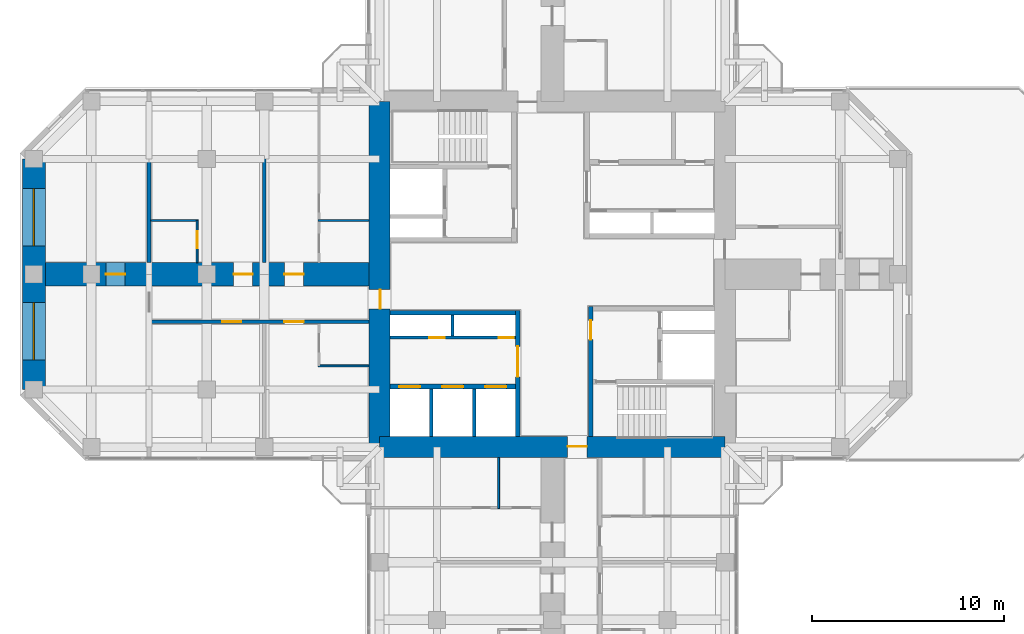
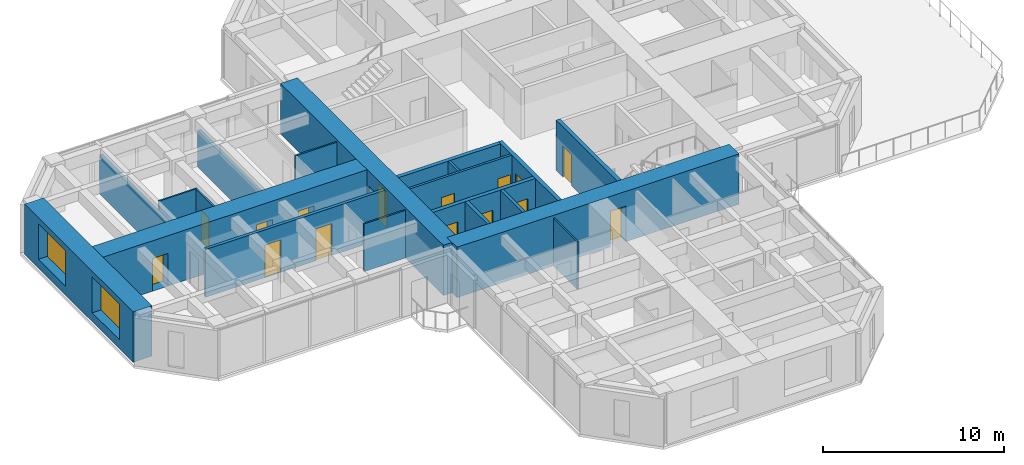
# One storey, part 9 of 14: 20 walls, 15 doors, 2 windows, 17 openings.
"""IFC4 building model written with IfcOpenShell, lengths in metres."""

from ifc_helpers import new_model, si_unit, direction, frame, frame_2d, origin, place, context, subcontext, project, spatial, rectangle, hollow_rectangle, extrude, material, layer, layer_set, constituent, constituent_set, type_object, element, fill, save


model = new_model("IFC4")

# Units and contexts
model_context = context("Model", 3, precision=1e-05, world=origin(), true_north=direction((0.0, 1.0)))
body_context = subcontext(model_context, "Body", "Model", "MODEL_VIEW")
ifc_project = project(units=[si_unit("LENGTHUNIT", "METRE"), si_unit("AREAUNIT", "SQUARE_METRE"), si_unit("VOLUMEUNIT", "CUBIC_METRE"), si_unit("PLANEANGLEUNIT", "RADIAN"), si_unit("MASSUNIT", "GRAM", prefix="KILO")], contexts=[model_context])

# Site, building, storey
site_placement = place(None, origin())
site = spatial("IfcSite", under=ifc_project, at=site_placement, CompositionType="ELEMENT")
building_placement = place(site_placement, origin())
building = spatial("IfcBuilding", under=site, at=building_placement, Name="Torre Cruceta", CompositionType="ELEMENT")
storey_placement = place(building_placement, frame((0.0, 0.0, 169.5)))
storey = spatial("IfcBuildingStorey", under=building, at=storey_placement, Name="L41", CompositionType="ELEMENT", Elevation=169.5)

# Walls
ifc_material_1 = material(Name="Water-resistant plasterboard on steel studs", Category="steel")
ifc_layer_1 = layer(ifc_material_1, 0.10009765625)
ifc_layer_set_1 = layer_set([ifc_layer_1], Name="Water-resistant plasterboard on steel studs")
wall_type_1 = type_object("IfcWallType", Name="BATHROOM WALL 100", PredefinedType="PARTITIONING", material=ifc_layer_set_1)
for number, where, z_axis, x_axis, name in (
    (1, (-2.800048828125, -9.550048828125, 0.0), (0.0, 0.0, 1.0), (0.0, -1.0, 0.0), "PT4 L41-S-U1RBB"),
    (2, (-9.550048828125, -4.77490234375, 0.0), (0.0, 0.0, 1.0), (-1.0, 0.0, 0.0), "PT4 L41-W-U1LBB"),
    (3, (-9.550048828125, 2.800048828125, 0.0), (0.0, 0.0, 1.0), (-1.0, 0.0, 0.0), "PT4 L41-W-U1RBB"),
):
    element("IfcWall", number, at=place(storey_placement, frame(where, z_axis=z_axis, x_axis=x_axis)), inside=storey, type_object=wall_type_1, Name=name, PredefinedType="PARTITIONING", context=body_context, shape_type="SweptSolid", body=[
        extrude(rectangle(XDim=2.64990234375, YDim=0.10009765625, at=frame_2d((1.324951171875, 0.0))), origin(), (0.0, 0.0, 1.0), 3.219970703125),
    ])
wall_1_placement = place(storey_placement, frame((-18.449951171875, 2.800048828125, 0.0), z_axis=(0.0, 0.0, 1.0), x_axis=(-1.0, 0.0, 0.0)))
element("IfcWall", 4, at=wall_1_placement, inside=storey, type_object=wall_type_1, Name="PT4 L41-W-U2RBB", PredefinedType="PARTITIONING", context=body_context, shape_type="SweptSolid", body=[
    extrude(rectangle(XDim=2.449951171875, YDim=0.10009765625, at=frame_2d((1.22509765625, 0.0))), origin(), (0.0, 0.0, 1.0), 3.219970703125),
])

# Wall, opening, door
wall_2_placement = place(storey_placement, frame((-18.5, 2.800048828125, 0.0), z_axis=(0.0, 0.0, 1.0), x_axis=(0.0, -1.0, 0.0)))
wall_2 = element("IfcWall", 5, at=wall_2_placement, inside=storey, type_object=wall_type_1, Name="PT4 L41-W-U2RBS", PredefinedType="PARTITIONING", context=body_context, shape_type="SweptSolid", body=[
    extrude(rectangle(XDim=2.199951171875, YDim=0.10009765625, at=frame_2d((1.10009765625, 0.0))), origin(), (0.0, 0.0, 1.0), 3.219970703125),
])
opening_1_placement = place(wall_2_placement, frame((0.550048828125, 0.0, 0.0)))
opening_1 = element("IfcOpeningElement", 6, at=opening_1_placement, cuts=wall_2, Name="Opening D7", PredefinedType="OPENING", context=body_context, shape_type="SweptSolid", body=[
    extrude(rectangle(XDim=0.89990234375, YDim=2.10009765625, at=frame_2d((0.449951171875, 1.050048828125))), frame((0.0, 0.06005859375, 0.0), z_axis=(0.0, -1.0, 0.0), x_axis=(1.0, 0.0, 0.0)), (0.0, 0.0, 1.0), 0.1201171875),
])
ifc_material_2 = material(Name="Timber door", Category="wood")
door_type_1 = type_object("IfcDoorType", Name="BATHROOM DOOR 900X2100", OperationType="SINGLE_SWING_LEFT", PredefinedType="DOOR", material=ifc_material_2)
door_1_placement = place(opening_1_placement, frame((0.89990234375, 0.0, 0.0), z_axis=(0.0, 0.0, 1.0), x_axis=(-1.0, 0.0, 0.0)))
door_1 = element("IfcDoor", 7, at=door_1_placement, inside=storey, type_object=door_type_1, Name="D7 L41-W-U2RBS-D1", OperationType="SINGLE_SWING_RIGHT", OverallHeight=2.10009765625, OverallWidth=0.89990234375, PredefinedType="DOOR", context=body_context, shape_type="SweptSolid", body=[
    extrude(rectangle(XDim=0.89990234375, YDim=2.10009765625, at=frame_2d((0.449951171875, 1.050048828125))), frame((0.0, 0.025146484375, 0.0), z_axis=(0.0, -1.0, 0.0), x_axis=(1.0, 0.0, 0.0)), (0.0, 0.0, 1.0), 0.050048828125),
])
fill(opening_1, door_1)

ifc_material_3 = material(Name="Concrete G60 (fck 60 MPa)", Category="concrete")
ifc_layer_2 = layer(ifc_material_3, 0.25)
ifc_layer_set_2 = layer_set([ifc_layer_2], Name="Concrete G60 (fck 60 MPa)")
wall_type_2 = type_object("IfcWallType", Name="CORE INNER WALL 250 G60", PredefinedType="SHEAR", material=ifc_layer_set_2)
wall_3_placement = place(storey_placement, frame((-1.800048828125, -1.875, 0.0), z_axis=(0.0, 0.0, 1.0), x_axis=(0.0, -1.0, 0.0)))
wall_3 = element("IfcWall", 8, at=wall_3_placement, inside=storey, type_object=wall_type_2, Name="CW4 L41 SW-CU", PredefinedType="SHEAR", context=body_context, shape_type="SweptSolid", body=[
    extrude(rectangle(XDim=6.574951171875, YDim=0.25, at=frame_2d((3.28759765625, 0.0))), origin(), (0.0, 0.0, 1.0), 3.39990234375),
])
opening_2_placement = place(wall_3_placement, frame((1.875, 0.0, 0.0)))
opening_2 = element("IfcOpeningElement", 9, at=opening_2_placement, cuts=wall_3, Name="Opening D8", PredefinedType="OPENING", context=body_context, shape_type="SweptSolid", body=[
    extrude(rectangle(XDim=1.60009765625, YDim=2.39990234375, at=frame_2d((0.800048828125, 1.199951171875))), frame((0.0, 0.135009765625, 0.0), z_axis=(0.0, -1.0, 0.0), x_axis=(1.0, 0.0, 0.0)), (0.0, 0.0, 1.0), 0.27001953125),
])
ifc_material_4 = material(Name="Steel DX51D", Category="steel")
ifc_constituent_1 = constituent(ifc_material_4, Name="Leaf and frame")
ifc_material_5 = material(Name="Polyester powder coating", Category="paint")
ifc_constituent_2 = constituent(ifc_material_5, Name="Finish")
ifc_material_6 = material(Name="Fire-resisting glass", Category="glass")
ifc_constituent_3 = constituent(ifc_material_6, Name="Vision panel")
ifc_constituent_set_1 = constituent_set(constituents=[ifc_constituent_1, ifc_constituent_2, ifc_constituent_3], Name="Steel fire door with vision panels")
door_type_2 = type_object("IfcDoorType", Name="LIFT LOBBY DOUBLE DOOR 1600X2400", OperationType="DOUBLE_DOOR_DOUBLE_SWING", PredefinedType="DOOR", material=ifc_constituent_set_1)
door_2_placement = place(opening_2_placement, origin())
door_2 = element("IfcDoor", 10, at=door_2_placement, inside=storey, type_object=door_type_2, Name="D8 L41 SW-LOBBY", OperationType="DOUBLE_DOOR_DOUBLE_SWING", OverallHeight=2.39990234375, OverallWidth=1.60009765625, PredefinedType="DOOR", context=body_context, shape_type="SweptSolid", body=[
    extrude(rectangle(XDim=1.60009765625, YDim=2.39990234375, at=frame_2d((0.800048828125, 1.199951171875))), frame((0.0, 0.02490234375, 0.0), z_axis=(0.0, -1.0, 0.0), x_axis=(1.0, 0.0, 0.0)), (0.0, 0.0, 1.0), 0.050048828125),
])
fill(opening_2, door_2)

# Wall
wall_4_placement = place(storey_placement, frame((-1.925048828125, -2.0, 0.0), z_axis=(0.0, 0.0, 1.0), x_axis=(-1.0, 0.0, 0.0)))
element("IfcWall", 11, at=wall_4_placement, inside=storey, type_object=wall_type_2, Name="CW4 L41 SW-CV", PredefinedType="SHEAR", context=body_context, shape_type="SweptSolid", body=[
    extrude(rectangle(XDim=6.52490234375, YDim=0.25, at=frame_2d((3.262451171875, 0.0))), origin(), (0.0, 0.0, 1.0), 3.39990234375),
])

# Wall, openings, doors
wall_5_placement = place(storey_placement, frame((-1.925048828125, -5.85009765625, 0.0), z_axis=(0.0, 0.0, 1.0), x_axis=(-1.0, 0.0, 0.0)))
wall_5 = element("IfcWall", 12, at=wall_5_placement, inside=storey, type_object=wall_type_2, Name="CW4 L41 SW-LV", PredefinedType="SHEAR", context=body_context, shape_type="SweptSolid", body=[
    extrude(rectangle(XDim=6.52490234375, YDim=0.25, at=frame_2d((3.262451171875, 0.0))), origin(), (0.0, 0.0, 1.0), 3.39990234375),
])
opening_3_placement = place(wall_5_placement, frame((0.470947265625, 0.0, 0.0)))
opening_3 = element("IfcOpeningElement", 13, at=opening_3_placement, cuts=wall_5, Name="Opening LD1", PredefinedType="OPENING", context=body_context, shape_type="SweptSolid", body=[
    extrude(rectangle(XDim=1.10009765625, YDim=2.199951171875, at=frame_2d((0.550048828125, 1.10009765625))), frame((0.0, 0.135009765625, 0.0), z_axis=(0.0, -1.0, 0.0), x_axis=(1.0, 0.0, 0.0)), (0.0, 0.0, 1.0), 0.27001953125),
])
opening_4_placement = place(wall_5_placement, frame((2.71240234375, 0.0, 0.0)))
opening_4 = element("IfcOpeningElement", 14, at=opening_4_placement, cuts=wall_5, Name="Opening LD1", PredefinedType="OPENING", context=body_context, shape_type="SweptSolid", body=[
    extrude(rectangle(XDim=1.10009765625, YDim=2.199951171875, at=frame_2d((0.550048828125, 1.10009765625))), frame((0.0, 0.135009765625, 0.0), z_axis=(0.0, -1.0, 0.0), x_axis=(1.0, 0.0, 0.0)), (0.0, 0.0, 1.0), 0.27001953125),
])
opening_5_placement = place(wall_5_placement, frame((4.9541015625, 0.0, 0.0)))
opening_5 = element("IfcOpeningElement", 15, at=opening_5_placement, cuts=wall_5, Name="Opening LD1", PredefinedType="OPENING", context=body_context, shape_type="SweptSolid", body=[
    extrude(rectangle(XDim=1.10009765625, YDim=2.199951171875, at=frame_2d((0.550048828125, 1.10009765625))), frame((0.0, 0.135009765625, 0.0), z_axis=(0.0, -1.0, 0.0), x_axis=(1.0, 0.0, 0.0)), (0.0, 0.0, 1.0), 0.27001953125),
])
ifc_material_7 = material(Name="Stainless steel 1.4401", Category="steel")
door_type_3 = type_object("IfcDoorType", Name="LIFT LANDING DOOR 1100X2200", OperationType="DOUBLE_DOOR_SLIDING", PredefinedType="DOOR", material=ifc_material_7)
door_3_placement = place(opening_3_placement, origin())
door_3 = element("IfcDoor", 16, at=door_3_placement, inside=storey, type_object=door_type_3, Name="Lift landing door R1", OperationType="DOUBLE_DOOR_SLIDING", OverallHeight=2.199951171875, OverallWidth=1.10009765625, PredefinedType="DOOR", context=body_context, shape_type="SweptSolid", body=[
    extrude(rectangle(XDim=1.10009765625, YDim=2.199951171875, at=frame_2d((0.550048828125, 1.10009765625))), frame((0.0, 0.02490234375, 0.0), z_axis=(0.0, -1.0, 0.0), x_axis=(1.0, 0.0, 0.0)), (0.0, 0.0, 1.0), 0.050048828125),
])
fill(opening_3, door_3)
door_4_placement = place(opening_4_placement, origin())
door_4 = element("IfcDoor", 17, at=door_4_placement, inside=storey, type_object=door_type_3, Name="Lift landing door R2", OperationType="DOUBLE_DOOR_SLIDING", OverallHeight=2.199951171875, OverallWidth=1.10009765625, PredefinedType="DOOR", context=body_context, shape_type="SweptSolid", body=[
    extrude(rectangle(XDim=1.10009765625, YDim=2.199951171875, at=frame_2d((0.550048828125, 1.10009765625))), frame((0.0, 0.02490234375, 0.0), z_axis=(0.0, -1.0, 0.0), x_axis=(1.0, 0.0, 0.0)), (0.0, 0.0, 1.0), 0.050048828125),
])
fill(opening_4, door_4)
door_5_placement = place(opening_5_placement, origin())
door_5 = element("IfcDoor", 18, at=door_5_placement, inside=storey, type_object=door_type_3, Name="Lift landing door R3", OperationType="DOUBLE_DOOR_SLIDING", OverallHeight=2.199951171875, OverallWidth=1.10009765625, PredefinedType="DOOR", context=body_context, shape_type="SweptSolid", body=[
    extrude(rectangle(XDim=1.10009765625, YDim=2.199951171875, at=frame_2d((0.550048828125, 1.10009765625))), frame((0.0, 0.02490234375, 0.0), z_axis=(0.0, -1.0, 0.0), x_axis=(1.0, 0.0, 0.0)), (0.0, 0.0, 1.0), 0.050048828125),
])
fill(opening_5, door_5)

# Wall, opening, door
wall_6_placement = place(storey_placement, frame((2.0, -1.675048828125, 0.0), z_axis=(0.0, 0.0, 1.0), x_axis=(0.0, -1.0, 0.0)))
wall_6 = element("IfcWall", 19, at=wall_6_placement, inside=storey, type_object=wall_type_2, Name="CW4 L41 SE-CU", PredefinedType="SHEAR", context=body_context, shape_type="SweptSolid", body=[
    extrude(rectangle(XDim=6.77490234375, YDim=0.25, at=frame_2d((3.387451171875, 0.0))), origin(), (0.0, 0.0, 1.0), 3.39990234375),
])
opening_6_placement = place(wall_6_placement, frame((0.72509765625, 0.0, 0.0)))
opening_6 = element("IfcOpeningElement", 20, at=opening_6_placement, cuts=wall_6, Name="Opening D3", PredefinedType="OPENING", context=body_context, shape_type="SweptSolid", body=[
    extrude(rectangle(XDim=1.0, YDim=2.10009765625, at=frame_2d((0.5, 1.050048828125))), frame((0.0, 0.135009765625, 0.0), z_axis=(0.0, -1.0, 0.0), x_axis=(1.0, 0.0, 0.0)), (0.0, 0.0, 1.0), 0.27001953125),
])
ifc_material_8 = material(Name="Steel DX51D", Category="steel")
ifc_constituent_4 = constituent(ifc_material_8, Name="Leaf and frame")
ifc_material_9 = material(Name="Polyester powder coating", Category="paint")
ifc_constituent_5 = constituent(ifc_material_9, Name="Finish")
ifc_constituent_set_2 = constituent_set(constituents=[ifc_constituent_4, ifc_constituent_5], Name="Steel fire door")
door_type_4 = type_object("IfcDoorType", Name="FIRE DOOR 1000X2100", OperationType="SINGLE_SWING_LEFT", PredefinedType="DOOR", material=ifc_constituent_set_2)
door_6_placement = place(opening_6_placement, origin())
door_6 = element("IfcDoor", 21, at=door_6_placement, inside=storey, type_object=door_type_4, Name="D3 L41 SE-LOBBY", OperationType="SINGLE_SWING_LEFT", OverallHeight=2.10009765625, OverallWidth=1.0, PredefinedType="DOOR", context=body_context, shape_type="SweptSolid", body=[
    extrude(rectangle(XDim=1.0, YDim=2.10009765625, at=frame_2d((0.5, 1.050048828125))), frame((0.0, 0.02490234375, 0.0), z_axis=(0.0, -1.0, 0.0), x_axis=(1.0, 0.0, 0.0)), (0.0, 0.0, 1.0), 0.050048828125),
])
fill(opening_6, door_6)

ifc_material_10 = material(Name="Concrete G60 (fck 60 MPa)", Category="concrete")
ifc_layer_3 = layer(ifc_material_10, 1.10009765625)
ifc_layer_set_3 = layer_set([ifc_layer_3], Name="Concrete G60 (fck 60 MPa)")
wall_type_3 = type_object("IfcWallType", Name="CORE WALL 1100 G60", PredefinedType="SHEAR", material=ifc_layer_set_3)
wall_7_placement = place(storey_placement, frame((-9.0, -9.0, 0.0), z_axis=(0.0, 0.0, 1.0), x_axis=(1.0, 0.0, 0.0)))
wall_7 = element("IfcWall", 22, at=wall_7_placement, inside=storey, type_object=wall_type_3, Name="CW2 L41 CW-S", PredefinedType="SHEAR", context=body_context, shape_type="SweptSolid", body=[
    extrude(rectangle(XDim=18.0, YDim=1.10009765625, at=frame_2d((9.0, 0.0))), origin(), (0.0, 0.0, 1.0), 3.39990234375),
])
opening_7_placement = place(wall_7_placement, frame((9.800048828125, 0.0, 0.0)))
opening_7 = element("IfcOpeningElement", 23, at=opening_7_placement, cuts=wall_7, Name="Opening D4", PredefinedType="OPENING", context=body_context, shape_type="SweptSolid", body=[
    extrude(rectangle(XDim=1.0, YDim=2.39990234375, at=frame_2d((0.5, 1.199951171875))), frame((0.0, 0.56005859375, 0.0), z_axis=(0.0, -1.0, 0.0), x_axis=(1.0, 0.0, 0.0)), (0.0, 0.0, 1.0), 1.1201171875),
])
ifc_material_11 = material(Name="Steel DX51D", Category="steel")
ifc_constituent_6 = constituent(ifc_material_11, Name="Leaf and frame")
ifc_material_12 = material(Name="Polyester powder coating", Category="paint")
ifc_constituent_7 = constituent(ifc_material_12, Name="Finish")
ifc_constituent_set_3 = constituent_set(constituents=[ifc_constituent_6, ifc_constituent_7], Name="Steel fire door")
door_type_5 = type_object("IfcDoorType", Name="CORE ARM DOOR 1000X2400", OperationType="SINGLE_SWING_RIGHT", PredefinedType="DOOR", material=ifc_constituent_set_3)
door_7_placement = place(opening_7_placement, origin())
door_7 = element("IfcDoor", 24, at=door_7_placement, inside=storey, type_object=door_type_5, Name="D4 L41 CW-S", OperationType="SINGLE_SWING_RIGHT", OverallHeight=2.39990234375, OverallWidth=1.0, PredefinedType="DOOR", context=body_context, shape_type="SweptSolid", body=[
    extrude(rectangle(XDim=1.0, YDim=2.39990234375, at=frame_2d((0.5, 1.199951171875))), frame((0.0, 0.05517578125, 0.0), z_axis=(0.0, -1.0, 0.0), x_axis=(1.0, 0.0, 0.0)), (0.0, 0.0, 1.0), 0.050048828125),
])
fill(opening_7, door_7)

wall_8_placement = place(storey_placement, frame((-9.0, 9.0, 0.0), z_axis=(0.0, 0.0, 1.0), x_axis=(0.0, -1.0, 0.0)))
wall_8 = element("IfcWall", 25, at=wall_8_placement, inside=storey, type_object=wall_type_3, Name="CW2 L41 CW-W", PredefinedType="SHEAR", context=body_context, shape_type="SweptSolid", body=[
    extrude(rectangle(XDim=18.0, YDim=1.10009765625, at=frame_2d((9.0, 0.0))), origin(), (0.0, 0.0, 1.0), 3.39990234375),
])
opening_8_placement = place(wall_8_placement, frame((9.800048828125, 0.0, 0.0)))
opening_8 = element("IfcOpeningElement", 26, at=opening_8_placement, cuts=wall_8, Name="Opening D4", PredefinedType="OPENING", context=body_context, shape_type="SweptSolid", body=[
    extrude(rectangle(XDim=1.0, YDim=2.39990234375, at=frame_2d((0.5, 1.199951171875))), frame((0.0, 0.56005859375, 0.0), z_axis=(0.0, -1.0, 0.0), x_axis=(1.0, 0.0, 0.0)), (0.0, 0.0, 1.0), 1.1201171875),
])
door_8_placement = place(opening_8_placement, origin())
door_8 = element("IfcDoor", 27, at=door_8_placement, inside=storey, type_object=door_type_5, Name="D4 L41 CW-W", OperationType="SINGLE_SWING_RIGHT", OverallHeight=2.39990234375, OverallWidth=1.0, PredefinedType="DOOR", context=body_context, shape_type="SweptSolid", body=[
    extrude(rectangle(XDim=1.0, YDim=2.39990234375, at=frame_2d((0.5, 1.199951171875))), frame((0.0, 0.05517578125, 0.0), z_axis=(0.0, -1.0, 0.0), x_axis=(1.0, 0.0, 0.0)), (0.0, 0.0, 1.0), 0.050048828125),
])
fill(opening_8, door_8)

# Wall, openings, doors
ifc_material_13 = material(Name="Concrete G25 (fck 25 MPa)", Category="concrete")
ifc_layer_4 = layer(ifc_material_13, 0.199951171875)
ifc_layer_set_4 = layer_set([ifc_layer_4], Name="Concrete G25 (fck 25 MPa)")
wall_type_4 = type_object("IfcWallType", Name="CORRIDOR WALL 200", PredefinedType="SOLIDWALL", material=ifc_layer_set_4)
wall_9_placement = place(storey_placement, frame((-9.550048828125, -2.47509765625, 0.0), z_axis=(0.0, 0.0, 1.0), x_axis=(-1.0, 0.0, 0.0)))
wall_9 = element("IfcWall", 28, at=wall_9_placement, inside=storey, type_object=wall_type_4, Name="PT3 L41-W-CL", PredefinedType="SOLIDWALL", context=body_context, shape_type="SweptSolid", body=[
    extrude(rectangle(XDim=11.449951171875, YDim=0.199951171875, at=frame_2d((5.72509765625, 0.0))), origin(), (0.0, 0.0, 1.0), 3.219970703125),
])
opening_9_placement = place(wall_9_placement, frame((3.39990234375, 0.0, 0.0)))
opening_9 = element("IfcOpeningElement", 29, at=opening_9_placement, cuts=wall_9, Name="Opening D6", PredefinedType="OPENING", context=body_context, shape_type="SweptSolid", body=[
    extrude(rectangle(XDim=1.0, YDim=2.14990234375, at=frame_2d((0.5, 1.074951171875))), frame((0.0, 0.10986328125, 0.0), z_axis=(0.0, -1.0, 0.0), x_axis=(1.0, 0.0, 0.0)), (0.0, 0.0, 1.0), 0.219970703125),
])
opening_10_placement = place(wall_9_placement, frame((6.64990234375, 0.0, 0.0)))
opening_10 = element("IfcOpeningElement", 30, at=opening_10_placement, cuts=wall_9, Name="Opening D14", PredefinedType="OPENING", context=body_context, shape_type="SweptSolid", body=[
    extrude(rectangle(XDim=1.0, YDim=2.199951171875, at=frame_2d((0.5, 1.10009765625))), frame((0.0, 0.10986328125, 0.0), z_axis=(0.0, -1.0, 0.0), x_axis=(1.0, 0.0, 0.0)), (0.0, 0.0, 1.0), 0.219970703125),
])
ifc_material_14 = material(Name="Steel DX51D", Category="steel")
ifc_constituent_8 = constituent(ifc_material_14, Name="Leaf and frame")
ifc_material_15 = material(Name="Polyester powder coating", Category="paint")
ifc_constituent_9 = constituent(ifc_material_15, Name="Finish")
ifc_material_16 = material(Name="Fire-resisting glass", Category="glass")
ifc_constituent_10 = constituent(ifc_material_16, Name="Vision panel")
ifc_constituent_set_4 = constituent_set(constituents=[ifc_constituent_8, ifc_constituent_9, ifc_constituent_10], Name="Steel fire door with vision panel")
door_type_6 = type_object("IfcDoorType", Name="FIRE DOOR VISION PANEL 1000X2200", OperationType="SINGLE_SWING_RIGHT", PredefinedType="DOOR", material=ifc_constituent_set_4)
door_9_placement = place(opening_10_placement, origin())
door_9 = element("IfcDoor", 31, at=door_9_placement, inside=storey, type_object=door_type_6, Name="D14 L41-W-CL-D2", OperationType="SINGLE_SWING_LEFT", OverallHeight=2.199951171875, OverallWidth=1.0, PredefinedType="DOOR", context=body_context, shape_type="SweptSolid", body=[
    extrude(rectangle(XDim=1.0, YDim=2.199951171875, at=frame_2d((0.5, 1.10009765625))), frame((0.0, 0.02490234375, 0.0), z_axis=(0.0, -1.0, 0.0), x_axis=(1.0, 0.0, 0.0)), (0.0, 0.0, 1.0), 0.050048828125),
])
fill(opening_10, door_9)
ifc_material_17 = material(Name="Timber fire door", Category="wood")
door_type_7 = type_object("IfcDoorType", Name="UNIT ENTRANCE DOOR 1000X2150", OperationType="SINGLE_SWING_LEFT", PredefinedType="DOOR", material=ifc_material_17)
door_10_placement = place(opening_9_placement, origin())
door_10 = element("IfcDoor", 32, at=door_10_placement, inside=storey, type_object=door_type_7, Name="D6 L41-W-CL-D1", OperationType="SINGLE_SWING_LEFT", OverallHeight=2.14990234375, OverallWidth=1.0, PredefinedType="DOOR", context=body_context, shape_type="SweptSolid", body=[
    extrude(rectangle(XDim=1.0, YDim=2.14990234375, at=frame_2d((0.5, 1.074951171875))), frame((0.0, 0.02490234375, 0.0), z_axis=(0.0, -1.0, 0.0), x_axis=(1.0, 0.0, 0.0)), (0.0, 0.0, 1.0), 0.050048828125),
])
fill(opening_9, door_10)

# Walls
ifc_material_18 = material(Name="Concrete G35 (fck 35 MPa)", Category="concrete")
ifc_layer_5 = layer(ifc_material_18, 0.199951171875)
ifc_layer_set_5 = layer_set([ifc_layer_5], Name="Concrete G35 (fck 35 MPa)")
wall_type_5 = type_object("IfcWallType", Name="LIFT SHAFT WALL 200", PredefinedType="PARTITIONING", material=ifc_layer_set_5)
for number, where, z_axis, x_axis, name in (
    (33, (-4.066650390625, -5.97509765625, 0.0), (0.0, 0.0, 1.0), (0.0, -1.0, 0.0), "SW1 L41 SW-LS1"),
    (34, (-6.308349609375, -5.97509765625, 0.0), (0.0, 0.0, 1.0), (0.0, -1.0, 0.0), "SW1 L41 SW-LS2"),
):
    element("IfcWall", number, at=place(storey_placement, frame(where, z_axis=z_axis, x_axis=x_axis)), inside=storey, type_object=wall_type_5, Name=name, PredefinedType="PARTITIONING", context=body_context, shape_type="SweptSolid", body=[
        extrude(rectangle(XDim=2.474853515625, YDim=0.199951171875, at=frame_2d((1.2373046875, 0.0))), origin(), (0.0, 0.0, 1.0), 3.39990234375),
    ])

# Wall, openings, windows
ifc_material_19 = material(Name="Concrete G60 (fck 60 MPa)", Category="concrete")
ifc_layer_6 = layer(ifc_material_19, 1.199951171875)
ifc_layer_set_6 = layer_set([ifc_layer_6], Name="Concrete G60 (fck 60 MPa)")
wall_type_6 = type_object("IfcWallType", Name="NOSE WALL 1200 G60", PredefinedType="SHEAR", material=ifc_layer_set_6)
wall_10_placement = place(storey_placement, frame((-27.0, 6.0, 0.0), z_axis=(0.0, 0.0, 1.0), x_axis=(0.0, -1.0, 0.0)))
wall_10 = element("IfcWall", 35, at=wall_10_placement, inside=storey, type_object=wall_type_6, Name="NW1 nose wall L41 W", PredefinedType="SHEAR", context=body_context, shape_type="SweptSolid", body=[
    extrude(rectangle(XDim=12.0, YDim=1.199951171875, at=frame_2d((6.0, 0.0))), origin(), (0.0, 0.0, 1.0), 3.39990234375),
])
opening_11_placement = place(wall_10_placement, frame((1.52490234375, 0.0, 0.60009765625)))
opening_11 = element("IfcOpeningElement", 36, at=opening_11_placement, cuts=wall_10, Name="Opening WN6", PredefinedType="OPENING", context=body_context, shape_type="SweptSolid", body=[
    extrude(rectangle(XDim=3.0, YDim=2.39990234375, at=frame_2d((1.5, 1.199951171875))), frame((0.0, 0.60986328125, 0.0), z_axis=(0.0, -1.0, 0.0), x_axis=(1.0, 0.0, 0.0)), (0.0, 0.0, 1.0), 1.219970703125),
])
opening_12_placement = place(wall_10_placement, frame((7.47509765625, 0.0, 0.60009765625)))
opening_12 = element("IfcOpeningElement", 37, at=opening_12_placement, cuts=wall_10, Name="Opening WN6", PredefinedType="OPENING", context=body_context, shape_type="SweptSolid", body=[
    extrude(rectangle(XDim=3.0, YDim=2.39990234375, at=frame_2d((1.5, 1.199951171875))), frame((0.0, 0.60986328125, 0.0), z_axis=(0.0, -1.0, 0.0), x_axis=(1.0, 0.0, 0.0)), (0.0, 0.0, 1.0), 1.219970703125),
])
ifc_material_20 = material(Name="Aluminium window frame", Category="aluminium")
ifc_constituent_11 = constituent(ifc_material_20, Name="Frame")
ifc_material_21 = material(Name="Laminated insulating glass unit, low-iron clear", Category="glass")
ifc_constituent_12 = constituent(ifc_material_21, Name="Glazing")
ifc_constituent_set_5 = constituent_set(constituents=[ifc_constituent_11, ifc_constituent_12], Name="Aluminium window")
window_type = type_object("IfcWindowType", Name="NOSE WALL WINDOW 3000X2400", PartitioningType="SINGLE_PANEL", PredefinedType="WINDOW", material=ifc_constituent_set_5)
window_1_placement = place(opening_11_placement, origin())
window_1 = element("IfcWindow", 38, at=window_1_placement, inside=storey, type_object=window_type, Name="WN6 L41 W 1", OverallHeight=2.39990234375, OverallWidth=3.0, PartitioningType="SINGLE_PANEL", PredefinedType="WINDOW", context=body_context, shape_type="SweptSolid", body=[
    extrude(hollow_rectangle(XDim=3.0, YDim=2.39990234375, WallThickness=0.06005859375, at=frame_2d((1.5, 1.199951171875))), frame((0.0, 0.030029296875, 0.0), z_axis=(0.0, -1.0, 0.0), x_axis=(1.0, 0.0, 0.0)), (0.0, 0.0, 1.0), 0.06005859375),
    extrude(rectangle(XDim=2.87890625, YDim=2.27880859375, at=frame_2d((1.5, 1.199951171875))), frame((0.0, 0.030029296875, 0.0), z_axis=(0.0, -1.0, 0.0), x_axis=(1.0, 0.0, 0.0)), (0.0, 0.0, 1.0), 0.06005859375),
])
fill(opening_11, window_1)
window_2_placement = place(opening_12_placement, origin())
window_2 = element("IfcWindow", 39, at=window_2_placement, inside=storey, type_object=window_type, Name="WN6 L41 W 2", OverallHeight=2.39990234375, OverallWidth=3.0, PartitioningType="SINGLE_PANEL", PredefinedType="WINDOW", context=body_context, shape_type="SweptSolid", body=[
    extrude(hollow_rectangle(XDim=3.0, YDim=2.39990234375, WallThickness=0.06005859375, at=frame_2d((1.5, 1.199951171875))), frame((0.0, 0.030029296875, 0.0), z_axis=(0.0, -1.0, 0.0), x_axis=(1.0, 0.0, 0.0)), (0.0, 0.0, 1.0), 0.06005859375),
    extrude(rectangle(XDim=2.87890625, YDim=2.27880859375, at=frame_2d((1.5, 1.199951171875))), frame((0.0, 0.030029296875, 0.0), z_axis=(0.0, -1.0, 0.0), x_axis=(1.0, 0.0, 0.0)), (0.0, 0.0, 1.0), 0.06005859375),
])
fill(opening_12, window_2)

# Wall, openings, doors
ifc_material_22 = material(Name="Concrete block masonry", Category="masonry")
ifc_layer_7 = layer(ifc_material_22, 0.14990234375)
ifc_layer_set_7 = layer_set([ifc_layer_7], Name="Concrete block masonry")
wall_type_7 = type_object("IfcWallType", Name="RISER WALL 150", PredefinedType="PARTITIONING", material=ifc_layer_set_7)
wall_11_placement = place(storey_placement, frame((-1.925048828125, -3.300048828125, 0.0), z_axis=(0.0, 0.0, 1.0), x_axis=(-1.0, 0.0, 0.0)))
wall_11 = element("IfcWall", 40, at=wall_11_placement, inside=storey, type_object=wall_type_7, Name="SW7 L41 SW-RV", PredefinedType="PARTITIONING", context=body_context, shape_type="SweptSolid", body=[
    extrude(rectangle(XDim=6.52490234375, YDim=0.14990234375, at=frame_2d((3.262451171875, 0.0))), origin(), (0.0, 0.0, 1.0), 3.39990234375),
])
opening_13_placement = place(wall_11_placement, frame((0.074951171875, 0.0, 0.0)))
opening_13 = element("IfcOpeningElement", 41, at=opening_13_placement, cuts=wall_11, Name="Opening D5", PredefinedType="OPENING", context=body_context, shape_type="SweptSolid", body=[
    extrude(rectangle(XDim=0.800048828125, YDim=2.10009765625, at=frame_2d((0.39990234375, 1.050048828125))), frame((0.0, 0.0849609375, 0.0), z_axis=(0.0, -1.0, 0.0), x_axis=(1.0, 0.0, 0.0)), (0.0, 0.0, 1.0), 0.169921875),
])
opening_14_placement = place(wall_11_placement, frame((3.675048828125, 0.0, 0.0)))
opening_14 = element("IfcOpeningElement", 42, at=opening_14_placement, cuts=wall_11, Name="Opening D5", PredefinedType="OPENING", context=body_context, shape_type="SweptSolid", body=[
    extrude(rectangle(XDim=0.800048828125, YDim=2.10009765625, at=frame_2d((0.39990234375, 1.050048828125))), frame((0.0, 0.0849609375, 0.0), z_axis=(0.0, -1.0, 0.0), x_axis=(1.0, 0.0, 0.0)), (0.0, 0.0, 1.0), 0.169921875),
])
ifc_material_23 = material(Name="Steel DX51D", Category="steel")
ifc_constituent_13 = constituent(ifc_material_23, Name="Leaf and frame")
ifc_material_24 = material(Name="Polyester powder coating", Category="paint")
ifc_constituent_14 = constituent(ifc_material_24, Name="Finish")
ifc_constituent_set_6 = constituent_set(constituents=[ifc_constituent_13, ifc_constituent_14], Name="Steel fire door")
door_type_8 = type_object("IfcDoorType", Name="RISER ACCESS DOOR 800X2100", OperationType="SINGLE_SWING_LEFT", PredefinedType="DOOR", material=ifc_constituent_set_6)
door_11_placement = place(opening_13_placement, frame((0.800048828125, 0.0, 0.0), z_axis=(0.0, 0.0, 1.0), x_axis=(-1.0, 0.0, 0.0)))
door_11 = element("IfcDoor", 43, at=door_11_placement, inside=storey, type_object=door_type_8, Name="D5 L41 SW-RISER1", OperationType="SINGLE_SWING_RIGHT", OverallHeight=2.10009765625, OverallWidth=0.800048828125, PredefinedType="DOOR", context=body_context, shape_type="SweptSolid", body=[
    extrude(rectangle(XDim=0.800048828125, YDim=2.10009765625, at=frame_2d((0.400146484375, 1.050048828125))), frame((0.0, 0.025146484375, 0.0), z_axis=(0.0, -1.0, 0.0), x_axis=(1.0, 0.0, 0.0)), (0.0, 0.0, 1.0), 0.050048828125),
])
fill(opening_13, door_11)
door_12_placement = place(opening_14_placement, frame((0.800048828125, 0.0, 0.0), z_axis=(0.0, 0.0, 1.0), x_axis=(-1.0, 0.0, 0.0)))
door_12 = element("IfcDoor", 44, at=door_12_placement, inside=storey, type_object=door_type_8, Name="D5 L41 SW-RISER2", OperationType="SINGLE_SWING_RIGHT", OverallHeight=2.10009765625, OverallWidth=0.800048828125, PredefinedType="DOOR", context=body_context, shape_type="SweptSolid", body=[
    extrude(rectangle(XDim=0.800048828125, YDim=2.10009765625, at=frame_2d((0.400146484375, 1.050048828125))), frame((0.0, 0.025146484375, 0.0), z_axis=(0.0, -1.0, 0.0), x_axis=(1.0, 0.0, 0.0)), (0.0, 0.0, 1.0), 0.050048828125),
])
fill(opening_14, door_12)

# Wall
wall_12_placement = place(storey_placement, frame((-5.199951171875, -2.125, 0.0), z_axis=(0.0, 0.0, 1.0), x_axis=(0.0, -1.0, 0.0)))
element("IfcWall", 45, at=wall_12_placement, inside=storey, type_object=wall_type_7, Name="SW7 L41 SW-RU", PredefinedType="PARTITIONING", context=body_context, shape_type="SweptSolid", body=[
    extrude(rectangle(XDim=1.10009765625, YDim=0.14990234375, at=frame_2d((0.550048828125, 0.0))), origin(), (0.0, 0.0, 1.0), 3.39990234375),
])

# Wall, openings, doors
ifc_material_25 = material(Name="Concrete G60 (fck 60 MPa)", Category="concrete")
ifc_layer_8 = layer(ifc_material_25, 1.199951171875)
ifc_layer_set_8 = layer_set([ifc_layer_8], Name="Concrete G60 (fck 60 MPa)")
wall_type_8 = type_object("IfcWallType", Name="SPINE WALL 1200 G60", PredefinedType="SHEAR", material=ifc_layer_set_8)
wall_13_placement = place(storey_placement, frame((-9.0, 0.0, 0.0), z_axis=(0.0, 0.0, 1.0), x_axis=(-1.0, 0.0, 0.0)))
wall_13 = element("IfcWall", 46, at=wall_13_placement, inside=storey, type_object=wall_type_8, Name="SW3 spine wall L41 W", PredefinedType="SHEAR", context=body_context, shape_type="SweptSolid", body=[
    extrude(rectangle(XDim=18.0, YDim=1.199951171875, at=frame_2d((9.0, 0.0))), origin(), (0.0, 0.0, 1.0), 3.39990234375),
])
opening_15_placement = place(wall_13_placement, frame((3.949951171875, 0.0, 0.0)))
opening_15 = element("IfcOpeningElement", 47, at=opening_15_placement, cuts=wall_13, Name="Opening D6", PredefinedType="OPENING", context=body_context, shape_type="SweptSolid", body=[
    extrude(rectangle(XDim=1.0, YDim=2.14990234375, at=frame_2d((0.5, 1.074951171875))), frame((0.0, 0.60986328125, 0.0), z_axis=(0.0, -1.0, 0.0), x_axis=(1.0, 0.0, 0.0)), (0.0, 0.0, 1.0), 1.219970703125),
])
opening_16_placement = place(wall_13_placement, frame((6.60009765625, 0.0, 0.0)))
opening_16 = element("IfcOpeningElement", 48, at=opening_16_placement, cuts=wall_13, Name="Opening D6", PredefinedType="OPENING", context=body_context, shape_type="SweptSolid", body=[
    extrude(rectangle(XDim=1.0, YDim=2.14990234375, at=frame_2d((0.5, 1.074951171875))), frame((0.0, 0.60986328125, 0.0), z_axis=(0.0, -1.0, 0.0), x_axis=(1.0, 0.0, 0.0)), (0.0, 0.0, 1.0), 1.219970703125),
])
opening_17_placement = place(wall_13_placement, frame((13.25, 0.0, 0.0)))
opening_17 = element("IfcOpeningElement", 49, at=opening_17_placement, cuts=wall_13, Name="Opening D14", PredefinedType="OPENING", context=body_context, shape_type="SweptSolid", body=[
    extrude(rectangle(XDim=1.0, YDim=2.199951171875, at=frame_2d((0.5, 1.10009765625))), frame((0.0, 0.60986328125, 0.0), z_axis=(0.0, -1.0, 0.0), x_axis=(1.0, 0.0, 0.0)), (0.0, 0.0, 1.0), 1.219970703125),
])
door_13_placement = place(opening_17_placement, origin())
door_13 = element("IfcDoor", 50, at=door_13_placement, inside=storey, type_object=door_type_6, Name="D14 L41-W-SP3", OperationType="SINGLE_SWING_LEFT", OverallHeight=2.199951171875, OverallWidth=1.0, PredefinedType="DOOR", context=body_context, shape_type="SweptSolid", body=[
    extrude(rectangle(XDim=1.0, YDim=2.199951171875, at=frame_2d((0.5, 1.10009765625))), frame((0.0, 0.02490234375, 0.0), z_axis=(0.0, -1.0, 0.0), x_axis=(1.0, 0.0, 0.0)), (0.0, 0.0, 1.0), 0.050048828125),
])
fill(opening_17, door_13)
door_14_placement = place(opening_15_placement, frame((1.0, 0.0, 0.0), z_axis=(0.0, 0.0, 1.0), x_axis=(-1.0, 0.0, 0.0)))
door_14 = element("IfcDoor", 51, at=door_14_placement, inside=storey, type_object=door_type_7, Name="D6 L41-W-SP1", OperationType="SINGLE_SWING_RIGHT", OverallHeight=2.14990234375, OverallWidth=1.0, PredefinedType="DOOR", context=body_context, shape_type="SweptSolid", body=[
    extrude(rectangle(XDim=1.0, YDim=2.14990234375, at=frame_2d((0.5, 1.074951171875))), frame((0.0, 0.025146484375, 0.0), z_axis=(0.0, -1.0, 0.0), x_axis=(1.0, 0.0, 0.0)), (0.0, 0.0, 1.0), 0.050048828125),
])
fill(opening_15, door_14)
door_15_placement = place(opening_16_placement, frame((1.0, 0.0, 0.0), z_axis=(0.0, 0.0, 1.0), x_axis=(-1.0, 0.0, 0.0)))
door_15 = element("IfcDoor", 52, at=door_15_placement, inside=storey, type_object=door_type_7, Name="D6 L41-W-SP2", OperationType="SINGLE_SWING_RIGHT", OverallHeight=2.14990234375, OverallWidth=1.0, PredefinedType="DOOR", context=body_context, shape_type="SweptSolid", body=[
    extrude(rectangle(XDim=1.0, YDim=2.14990234375, at=frame_2d((0.5, 1.074951171875))), frame((0.0, 0.025146484375, 0.0), z_axis=(0.0, -1.0, 0.0), x_axis=(1.0, 0.0, 0.0)), (0.0, 0.0, 1.0), 0.050048828125),
])
fill(opening_16, door_15)

# Walls
ifc_material_26 = material(Name="Concrete G25 (fck 25 MPa)", Category="concrete")
ifc_layer_9 = layer(ifc_material_26, 0.199951171875)
ifc_layer_set_9 = layer_set([ifc_layer_9], Name="Concrete G25 (fck 25 MPa)")
wall_type_9 = type_object("IfcWallType", Name="UNIT SEPARATING WALL 200", PredefinedType="SOLIDWALL", material=ifc_layer_set_9)
wall_14_placement = place(storey_placement, frame((-15.0, 8.550048828125, 0.0), z_axis=(0.0, 0.0, 1.0), x_axis=(0.0, -1.0, 0.0)))
element("IfcWall", 53, at=wall_14_placement, inside=storey, type_object=wall_type_9, Name="PT2 L41-W-P1R", PredefinedType="SOLIDWALL", context=body_context, shape_type="SweptSolid", body=[
    extrude(rectangle(XDim=7.949951171875, YDim=0.199951171875, at=frame_2d((3.97509765625, 0.0))), origin(), (0.0, 0.0, 1.0), 2.469970703125),
])
wall_15_placement = place(storey_placement, frame((-21.0, 9.0, 0.0), z_axis=(0.0, 0.0, 1.0), x_axis=(0.0, -1.0, 0.0)))
element("IfcWall", 54, at=wall_15_placement, inside=storey, type_object=wall_type_9, Name="PT2 L41-W-ENDa 2", PredefinedType="SOLIDWALL", context=body_context, shape_type="SweptSolid", body=[
    extrude(rectangle(XDim=8.39990234375, YDim=0.199951171875, at=frame_2d((4.199951171875, 0.0))), origin(), (0.0, 0.0, 1.0), 2.6201171875),
])

save(model, "model.ifc")
